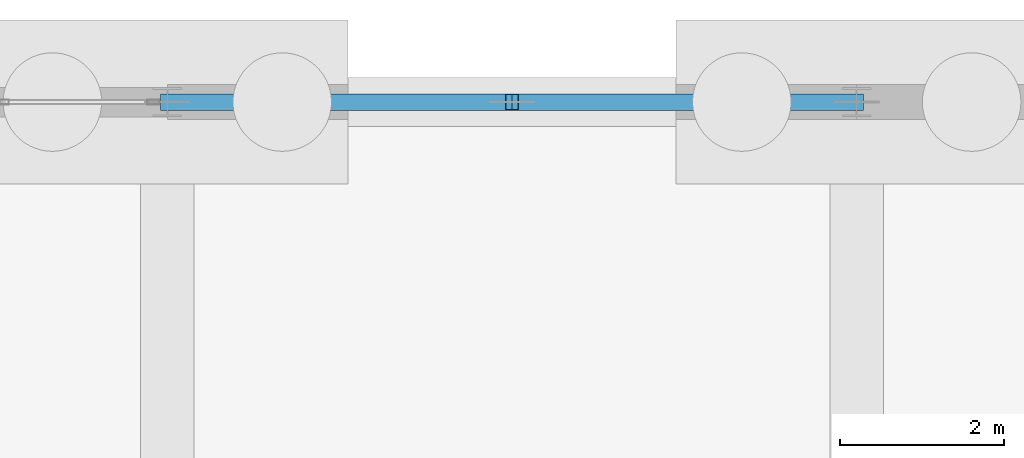
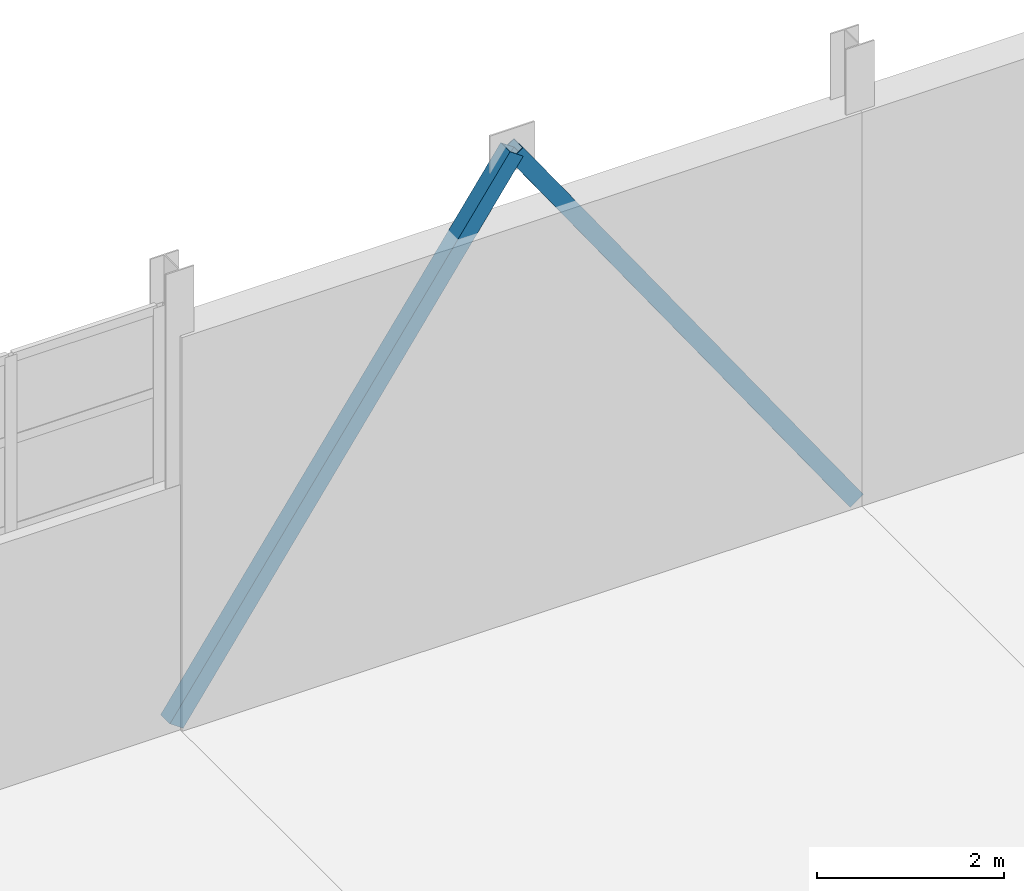
# One storey, part 102 of 139: 2 members.
"""IFC4 building model written with IfcOpenShell, lengths in metres."""

from ifc_helpers import new_model, si_unit, direction, frame, origin, origin_2d, place, context, subcontext, project, spatial, hollow_rectangle, extrude, material, material_profile, profile_set, type_object, element, save


model = new_model("IFC4")

# Units and contexts
model_context = context("Model", 3, precision=1e-05, world=origin(), true_north=direction((0.0, 1.0)))
body_context = subcontext(model_context, "Body", "Model", "MODEL_VIEW")
ifc_project = project(units=[si_unit("LENGTHUNIT", "METRE"), si_unit("AREAUNIT", "SQUARE_METRE"), si_unit("VOLUMEUNIT", "CUBIC_METRE"), si_unit("PLANEANGLEUNIT", "RADIAN"), si_unit("MASSUNIT", "GRAM", prefix="KILO")], contexts=[model_context])

# Site, building, storey
site_placement = place(None, origin())
site = spatial("IfcSite", under=ifc_project, at=site_placement, CompositionType="ELEMENT")
building_placement = place(site_placement, origin())
building = spatial("IfcBuilding", under=site, at=building_placement, Name="Kazenagashi Tramway Depot", CompositionType="ELEMENT")
storey_placement = place(building_placement, origin())
storey = spatial("IfcBuildingStorey", under=building, at=storey_placement, Name="L01", CompositionType="ELEMENT", Elevation=0.0)

# Members
ifc_material = material(Name="Steel STKR490", Category="steel")
ifc_material_profile = material_profile(ifc_material, hollow_rectangle(XDim=0.2, YDim=0.2, WallThickness=0.009, at=origin_2d()), Name="SHS-200x200x9")
ifc_profile_set = profile_set([ifc_material_profile], Name="Steel STKR490")
member_type = type_object("IfcMemberType", Name="BR-01", PredefinedType="BRACE", material=ifc_profile_set)
for number, where, z_axis, x_axis, name in (
    (1, (179.2, 130.0, 0.0), (0.573462344363, 0.0, 0.819231920519), (0.0, 1.0, 0.0), "Seismic Brace Member BR-01 MEM-1600"),
    (2, (187.6, 130.0, 0.0), (-0.573462344363, 0.0, 0.819231920519), (0.0, -1.0, 0.0), "Seismic Brace Member BR-01 MEM-1601"),
):
    element("IfcMember", number, at=place(storey_placement, frame(where, z_axis=z_axis, x_axis=x_axis)), inside=storey, type_object=member_type, Name=name, PredefinedType="BRACE", context=body_context, shape_type="SweptSolid", body=[
        extrude(hollow_rectangle(XDim=0.2, YDim=0.2, WallThickness=0.009, at=origin_2d()), origin(), (0.0, 0.0, 1.0), 7.323933),
    ])

save(model, "model.ifc")
